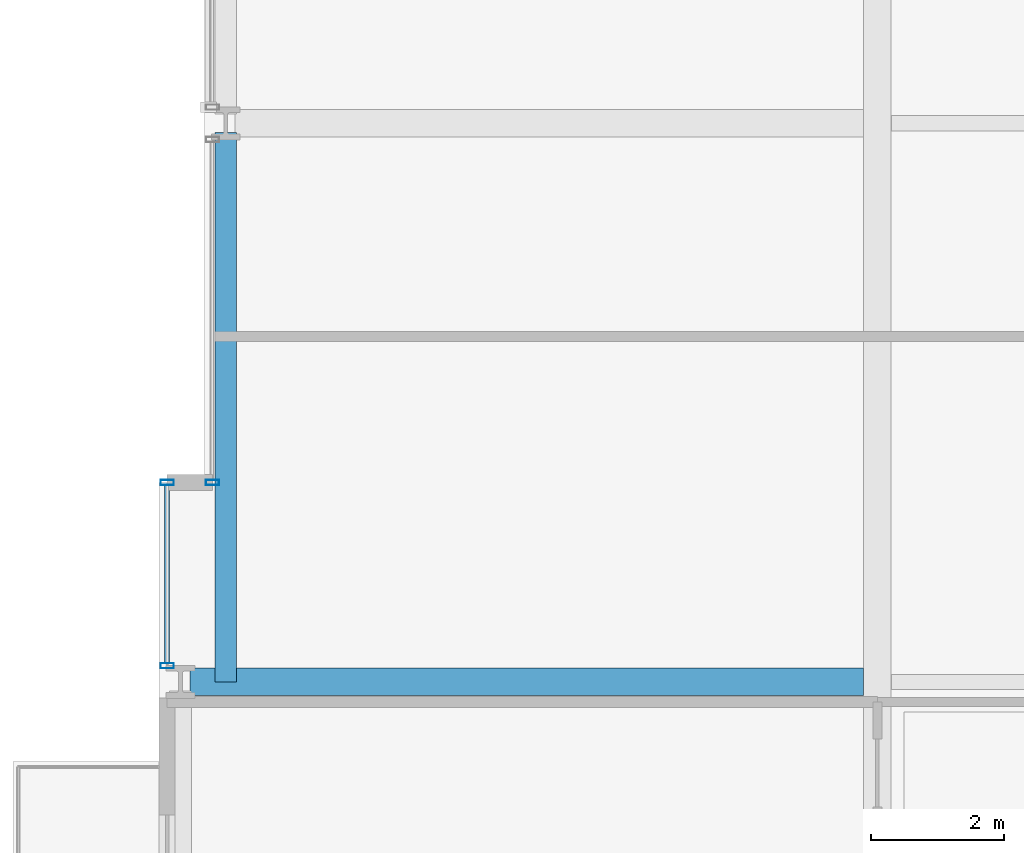
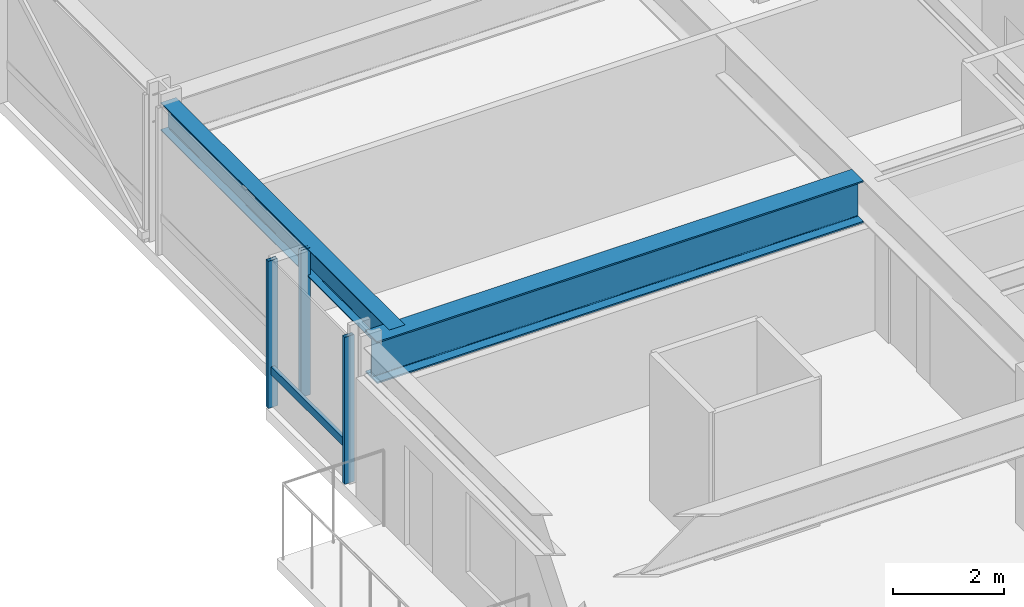
# One storey, part 7 of 38: 4 members, 2 beams, 2 elements without a shape of their own.
"""IFC4 building model written with IfcOpenShell, lengths in metres."""

from ifc_helpers import new_model, si_unit, direction, frame, origin, origin_2d, place, context, subcontext, project, spatial, hollow_rectangle, i_section, extrude, material, layer, layer_set, material_profile, profile_set, type_object, element, aggregate, save


model = new_model("IFC4")

# Units and contexts
model_context = context("Model", 3, precision=1e-05, world=origin(), true_north=direction((0.0, 1.0)))
body_context = subcontext(model_context, "Body", "Model", "MODEL_VIEW")
ifc_project = project(units=[si_unit("LENGTHUNIT", "METRE"), si_unit("AREAUNIT", "SQUARE_METRE"), si_unit("VOLUMEUNIT", "CUBIC_METRE"), si_unit("PLANEANGLEUNIT", "RADIAN"), si_unit("MASSUNIT", "GRAM", prefix="KILO")], contexts=[model_context])

# Site, building, storey
site_placement = place(None, origin())
site = spatial("IfcSite", under=ifc_project, at=site_placement, CompositionType="ELEMENT")
building_placement = place(site_placement, origin())
building = spatial("IfcBuilding", under=site, at=building_placement, Name="Drelvath Grand Hotel", CompositionType="ELEMENT")
storey_placement = place(building_placement, frame((0.0, 0.0, 57.699951171875)))
storey = spatial("IfcBuildingStorey", under=building, at=storey_placement, Name="L13", CompositionType="ELEMENT", Elevation=57.699951171875)

# Curtain wall, members
ifc_material_1 = material(Name="Warm Bronze Anodised Aluminium Frame", Category="aluminium")
ifc_layer = layer(ifc_material_1, 0.199951171875)
ifc_layer_set = layer_set([ifc_layer], Name="Warm Bronze Anodised Aluminium Frame")
curtain_wall_type = type_object("IfcCurtainWallType", Name="Stick Curtain Wall CW-02 Warm Bronze Low-Rise", PredefinedType="NOTDEFINED", material=ifc_layer_set)
curtain_wall_1_placement = place(storey_placement, origin())
curtain_wall_1 = element("IfcCurtainWall", 1, at=curtain_wall_1_placement, inside=storey, type_object=curtain_wall_type, Name="L13 CW-02 Curtain Wall CW02-L13-WS3", PredefinedType="NOTDEFINED")
ifc_material_profile_1 = material_profile(ifc_material_1, hollow_rectangle(XDim=0.074951171875, YDim=0.179931640625, WallThickness=0.0048828125, at=origin_2d()), Name="HSS180X75X5")
ifc_profile_set_1 = profile_set([ifc_material_profile_1], Name="Warm Bronze Anodised Aluminium Frame")
member_type_1 = type_object("IfcMemberType", Name="Curtain Wall Horizontal Transom CW-02 HSS180X75X5", PredefinedType="USERDEFINED", material=ifc_profile_set_1)
member_1_placement = place(storey_placement, frame((-26.8798828125, 18.880859375, 0.81005859375), z_axis=(0.0, 1.0, 0.0), x_axis=(-1.0, 0.0, 0.0)))
member_1 = element("IfcMember", 2, at=member_1_placement, type_object=member_type_1, Name="CW02-L13-WS3 Sill Transom", ObjectType="TRANSOM", PredefinedType="USERDEFINED", context=body_context, shape_type="SweptSolid", body=[
    extrude(hollow_rectangle(XDim=0.074951171875, YDim=0.179931640625, WallThickness=0.0048828125, at=origin_2d()), origin(), (0.0, 0.0, 1.0), 2.67919921875),
])
ifc_material_profile_2 = material_profile(ifc_material_1, hollow_rectangle(XDim=0.080078125, YDim=0.199951171875, WallThickness=0.0048828125, at=origin_2d()), Name="HSS200X80X5")
ifc_profile_set_2 = profile_set([ifc_material_profile_2], Name="Warm Bronze Anodised Aluminium Frame")
member_type_2 = type_object("IfcMemberType", Name="Curtain Wall Vertical Mullion CW-02 HSS200X80X5", PredefinedType="MULLION", material=ifc_profile_set_2)
member_2_placement = place(storey_placement, frame((-26.8798828125, 18.8408203125, 0.0), z_axis=(0.0, 0.0, 1.0), x_axis=(0.0, 1.0, 0.0)))
member_2 = element("IfcMember", 3, at=member_2_placement, type_object=member_type_2, Name="CW02-L13-WS3 Mullion 1", PredefinedType="MULLION", context=body_context, shape_type="SweptSolid", body=[
    extrude(hollow_rectangle(XDim=0.080078125, YDim=0.199951171875, WallThickness=0.0048828125, at=origin_2d()), origin(), (0.0, 0.0, 1.0), 3.239990234375),
])
member_3_placement = place(storey_placement, frame((-26.8798828125, 21.60009765625, 0.0), z_axis=(0.0, 0.0, 1.0), x_axis=(0.0, 1.0, 0.0)))
member_3 = element("IfcMember", 4, at=member_3_placement, type_object=member_type_2, Name="CW02-L13-WS3 Mullion 2", PredefinedType="MULLION", context=body_context, shape_type="SweptSolid", body=[
    extrude(hollow_rectangle(XDim=0.080078125, YDim=0.199951171875, WallThickness=0.0048828125, at=origin_2d()), origin(), (0.0, 0.0, 1.0), 3.239990234375),
])
aggregate(curtain_wall_1, [member_2, member_3, member_1])

# Curtain wall, member
curtain_wall_2_placement = place(storey_placement, origin())
curtain_wall_2 = element("IfcCurtainWall", 5, at=curtain_wall_2_placement, inside=storey, type_object=curtain_wall_type, Name="L13 CW-02 Curtain Wall CW02-L13-WM1", PredefinedType="NOTDEFINED")
member_4_placement = place(storey_placement, frame((-26.199951171875, 21.60009765625, 0.0), z_axis=(0.0, 0.0, 1.0), x_axis=(0.0, 1.0, 0.0)))
member_4 = element("IfcMember", 6, at=member_4_placement, type_object=member_type_2, Name="CW02-L13-WM1 Mullion 1", PredefinedType="MULLION", context=body_context, shape_type="SweptSolid", body=[
    extrude(hollow_rectangle(XDim=0.080078125, YDim=0.199951171875, WallThickness=0.0048828125, at=origin_2d()), origin(), (0.0, 0.0, 1.0), 3.239990234375),
])
aggregate(curtain_wall_2, [member_4])

# Beams
ifc_material_2 = material(Name="Steel ASTM A992 Gr 50", Category="steel")
ifc_material_profile_3 = material_profile(ifc_material_2, i_section(OverallWidth=0.323974609375, OverallDepth=0.611083984375, WebThickness=0.0126953125, FlangeThickness=0.01904296875, FilletRadius=0.02197265625, at=origin_2d()), Name="W24X104")
ifc_profile_set_3 = profile_set([ifc_material_profile_3], Name="Steel ASTM A992 Gr 50")
beam_type_1 = type_object("IfcBeamType", Name="Perimeter Spandrel Beam W24X104", PredefinedType="SPANDREL", material=ifc_profile_set_3)
beam_1_placement = place(storey_placement, frame((-26.0, 18.60009765625, 2.9345703125), z_axis=(0.0, 1.0, 0.0), x_axis=(-1.0, 0.0, 0.0)))
element("IfcBeam", 7, at=beam_1_placement, inside=storey, type_object=beam_type_1, Name="L13 Spandrel West Mid S", PredefinedType="SPANDREL", context=body_context, shape_type="SweptSolid", body=[
    extrude(i_section(OverallWidth=0.323974609375, OverallDepth=0.611083984375, WebThickness=0.0126953125, FlangeThickness=0.01904296875, FilletRadius=0.02197265625, at=origin_2d()), origin(), (0.0, 0.0, 1.0), 8.260009765625),
])
ifc_material_profile_4 = material_profile(ifc_material_2, i_section(OverallWidth=0.418212890625, OverallDepth=0.926513671875, WebThickness=0.019287109375, FlangeThickness=0.031982421875, FilletRadius=0.028076171875, at=origin_2d()), Name="W36X231")
ifc_profile_set_4 = profile_set([ifc_material_profile_4], Name="Steel ASTM A992 Gr 50")
beam_type_2 = type_object("IfcBeamType", Name="Primary Floor Girder W36X231", PredefinedType="BEAM", material=ifc_profile_set_4)
beam_2_placement = place(storey_placement, frame((-26.5400390625, 18.60009765625, 2.77685546875), z_axis=(1.0, 0.0, 0.0), x_axis=(0.0, 1.0, 0.0)))
element("IfcBeam", 8, at=beam_2_placement, inside=storey, type_object=beam_type_2, Name="L13 West Wing Girder D", PredefinedType="BEAM", context=body_context, shape_type="SweptSolid", body=[
    extrude(i_section(OverallWidth=0.418212890625, OverallDepth=0.926513671875, WebThickness=0.019287109375, FlangeThickness=0.031982421875, FilletRadius=0.028076171875, at=origin_2d()), origin(), (0.0, 0.0, 1.0), 10.130859375),
])

save(model, "model.ifc")
